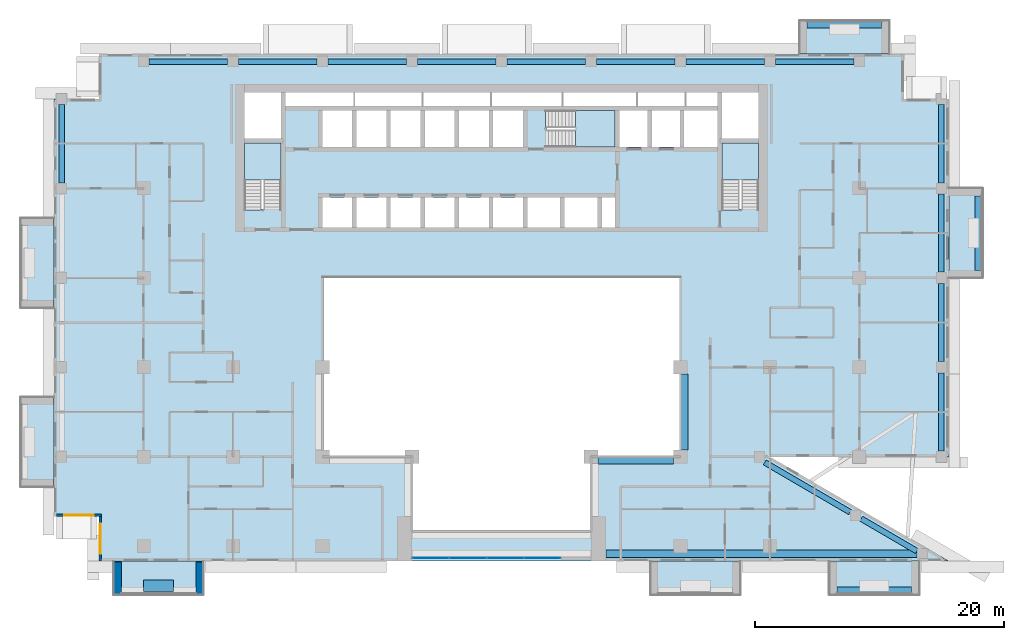
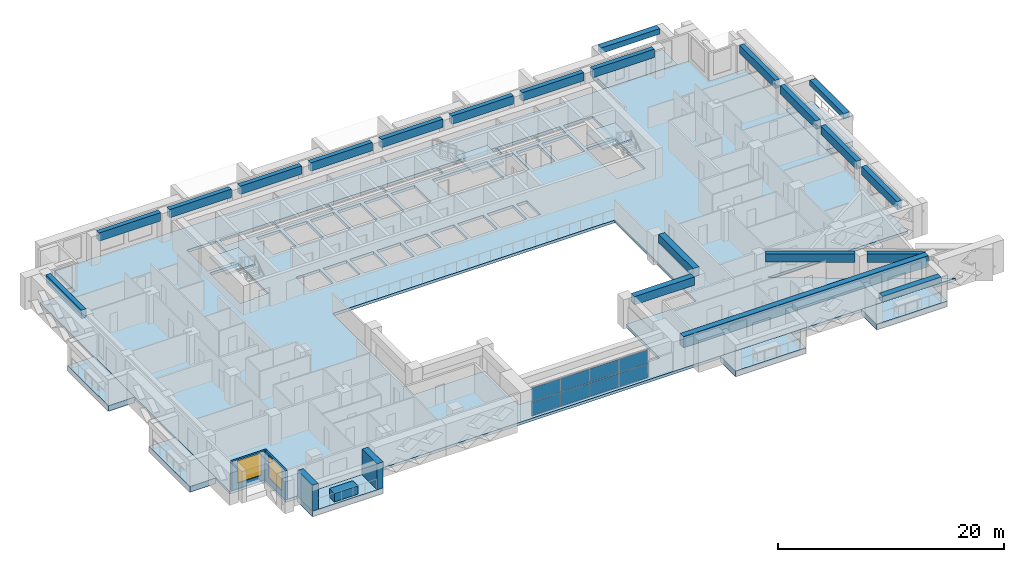
# One storey, part 5 of 19: 21 beams, 11 slabs, 8 plates, 5 walls, 2 windows, 2 openings, 4 elements without a shape of their own.
"""IFC4 building model written with IfcOpenShell, lengths in metres."""

from ifc_helpers import new_model, si_unit, direction, frame, frame_2d, origin, origin_2d, place, context, subcontext, project, spatial, polyline, rectangle, outline, extrude, source, transform, mapped, material, layer, layer_set, material_profile, profile_set, type_object, element, fill, aggregate, save


model = new_model("IFC4")

# Units and contexts
model_context = context("Model", 3, precision=1e-05, world=origin(), true_north=direction((0.0, 1.0)))
body_context = subcontext(model_context, "Body", "Model", "MODEL_VIEW")
ifc_project = project(units=[si_unit("LENGTHUNIT", "METRE"), si_unit("AREAUNIT", "SQUARE_METRE"), si_unit("VOLUMEUNIT", "CUBIC_METRE"), si_unit("PLANEANGLEUNIT", "RADIAN"), si_unit("MASSUNIT", "GRAM", prefix="KILO")], contexts=[model_context])

# Site, building, storey
site_placement = place(None, origin())
site = spatial("IfcSite", under=ifc_project, at=site_placement, CompositionType="ELEMENT")
building_placement = place(site_placement, origin())
building = spatial("IfcBuilding", under=site, at=building_placement, Name="Saffron Iwan Residences", CompositionType="ELEMENT")
storey_placement = place(building_placement, frame((0.0, 0.0, 134.0)))
storey = spatial("IfcBuildingStorey", under=building, at=storey_placement, Name="L35", CompositionType="ELEMENT", Elevation=134.0)

# Beams
ifc_material_1 = material(Name="Concrete C50/60", Category="concrete")
ifc_material_profile_1 = material_profile(ifc_material_1, rectangle(XDim=0.449951171875, YDim=0.89990234375, at=origin_2d()), Name="RC 450x900")
ifc_profile_set_1 = profile_set([ifc_material_profile_1], Name="Concrete C50/60")
beam_type_1 = type_object("IfcBeamType", Name="SPANDREL BEAM RC 450x900 C50/60 TOP 3150", PredefinedType="SPANDREL", material=ifc_profile_set_1)
shared_shape_1 = source(origin(), body_context, "Body", "SweptSolid", [
    extrude(rectangle(XDim=0.449951171875, YDim=0.89990234375, at=origin_2d()), origin(), (0.0, 0.0, 1.0), 5.184814453125),
])
beam_1_placement = place(storey_placement, frame((79.34765625, 43.019287109375, 2.699951171875), z_axis=(0.86377206948, -0.503882736345, 0.0), x_axis=(0.503882736345, 0.86377206948, 0.0)))
element("IfcBeam", 1, at=beam_1_placement, inside=storey, type_object=beam_type_1, Name="Spandrel beam", PredefinedType="SPANDREL", context=body_context, shape_type="MappedRepresentation", body=[
    mapped(shared_shape_1, transform((0.0, 0.0, 0.0))),
])
shared_shape_2 = source(origin(), body_context, "Body", "SweptSolid", [
    extrude(rectangle(XDim=0.449951171875, YDim=0.89990234375, at=origin_2d()), origin(), (0.0, 0.0, 1.0), 7.9501953125),
])
beam_2_placement = place(storey_placement, frame((71.58056640625, 47.550048828125, 2.699951171875), z_axis=(0.863778900898, -0.503871025524, 0.0), x_axis=(0.503871025524, 0.863778900898, 0.0)))
element("IfcBeam", 2, at=beam_2_placement, inside=storey, type_object=beam_type_1, Name="Spandrel beam", PredefinedType="SPANDREL", context=body_context, shape_type="MappedRepresentation", body=[
    mapped(shared_shape_2, transform((0.0, 0.0, 0.0))),
])
shared_shape_3 = source(origin(), body_context, "Body", "SweptSolid", [
    extrude(rectangle(XDim=0.449951171875, YDim=0.89990234375, at=origin_2d()), origin(), (0.0, 0.0, 1.0), 6.300048828125),
])
for number, where, z_axis, x_axis, name in (
    (3, (85.800048828125, 54.75, 2.699951171875), (0.0, -1.0, 0.0), (1.0, 0.0, 0.0), "Spandrel beam"),
    (4, (85.800048828125, 61.949951171875, 2.699951171875), (0.0, -1.0, 0.0), (1.0, 0.0, 0.0), "Spandrel beam"),
    (5, (15.0, 70.050048828125, 2.699951171875), (0.0, 1.0, 0.0), (-1.0, 0.0, 0.0), "Spandrel beam"),
    (6, (85.800048828125, 76.35009765625, 2.699951171875), (0.0, -1.0, 0.0), (1.0, 0.0, 0.0), "Spandrel beam"),
    (7, (22.050048828125, 79.800048828125, 2.699951171875), (1.0, 0.0, 0.0), (0.0, 1.0, 0.0), "Spandrel beam"),
    (8, (29.25, 79.800048828125, 2.699951171875), (1.0, 0.0, 0.0), (0.0, 1.0, 0.0), "Spandrel beam"),
    (9, (36.449951171875, 79.800048828125, 2.699951171875), (1.0, 0.0, 0.0), (0.0, 1.0, 0.0), "Spandrel beam"),
    (10, (43.64990234375, 79.800048828125, 2.699951171875), (1.0, 0.0, 0.0), (0.0, 1.0, 0.0), "Spandrel beam"),
    (11, (58.050048828125, 79.800048828125, 2.699951171875), (1.0, 0.0, 0.0), (0.0, 1.0, 0.0), "Spandrel beam"),
    (12, (65.25, 79.800048828125, 2.699951171875), (1.0, 0.0, 0.0), (0.0, 1.0, 0.0), "Spandrel beam"),
    (13, (72.449951171875, 79.800048828125, 2.699951171875), (1.0, 0.0, 0.0), (0.0, 1.0, 0.0), "Spandrel beam"),
):
    element("IfcBeam", number, at=place(storey_placement, frame(where, z_axis=z_axis, x_axis=x_axis)), inside=storey, type_object=beam_type_1, Name=name, PredefinedType="SPANDREL", context=body_context, shape_type="MappedRepresentation", body=[
        mapped(shared_shape_3, transform((0.0, 0.0, 0.0))),
    ])
shared_shape_4 = source(origin(), body_context, "Body", "SweptSolid", [
    extrude(rectangle(XDim=0.449951171875, YDim=0.89990234375, at=origin_2d()), origin(), (0.0, 0.0, 1.0), 6.2998046875),
])
for number, where, z_axis, x_axis, name in (
    (14, (85.800048828125, 69.14990234375, 2.699951171875), (0.0, -1.0, 0.0), (1.0, 0.0, 0.0), "Spandrel beam"),
    (15, (50.85009765625, 79.800048828125, 2.699951171875), (1.0, 0.0, 0.0), (0.0, 1.0, 0.0), "Spandrel beam"),
):
    element("IfcBeam", number, at=place(storey_placement, frame(where, z_axis=z_axis, x_axis=x_axis)), inside=storey, type_object=beam_type_1, Name=name, PredefinedType="SPANDREL", context=body_context, shape_type="MappedRepresentation", body=[
        mapped(shared_shape_4, transform((0.0, 0.0, 0.0))),
    ])
ifc_material_profile_2 = material_profile(ifc_material_1, rectangle(XDim=0.60009765625, YDim=1.199951171875, at=origin_2d()), Name="RC 600x1200")
ifc_profile_set_2 = profile_set([ifc_material_profile_2], Name="Concrete C50/60")
beam_type_2 = type_object("IfcBeamType", Name="LINTEL BEAM RC 600x1200 C50/60 TOP 3150", PredefinedType="LINTEL", material=ifc_profile_set_2)
shared_shape_5 = source(origin(), body_context, "Body", "SweptSolid", [
    extrude(rectangle(XDim=0.60009765625, YDim=1.199951171875, at=origin_2d()), origin(), (0.0, 0.0, 1.0), 25.026123046875),
])
beam_3_placement = place(storey_placement, frame((83.826171875, 40.199951171875, 2.550048828125), z_axis=(-1.0, 0.0, 0.0), x_axis=(0.0, -1.0, 0.0)))
element("IfcBeam", 16, at=beam_3_placement, inside=storey, type_object=beam_type_2, Name="Lintel beam over the iwan", PredefinedType="LINTEL", context=body_context, shape_type="MappedRepresentation", body=[
    mapped(shared_shape_5, transform((0.0, 0.0, 0.0))),
])
ifc_material_profile_3 = material_profile(ifc_material_1, rectangle(XDim=0.60009765625, YDim=0.89990234375, at=origin_2d()), Name="RC 600x900")
ifc_profile_set_3 = profile_set([ifc_material_profile_3], Name="Concrete C50/60")
beam_type_3 = type_object("IfcBeamType", Name="BEAM RC 600x900 C50/60 TOP 3150", PredefinedType="BEAM", material=ifc_profile_set_3)
shared_shape_6 = source(origin(), body_context, "Body", "SweptSolid", [
    extrude(rectangle(XDim=0.60009765625, YDim=0.89990234375, at=origin_2d()), origin(), (0.0, 0.0, 1.0), 6.099853515625),
])
beam_4_placement = place(storey_placement, frame((65.10009765625, 54.64990234375, 2.699951171875), z_axis=(0.0, -1.0, 0.0), x_axis=(1.0, 0.0, 0.0)))
element("IfcBeam", 17, at=beam_4_placement, inside=storey, type_object=beam_type_3, Name="Atrium edge beam", PredefinedType="BEAM", context=body_context, shape_type="MappedRepresentation", body=[
    mapped(shared_shape_6, transform((0.0, 0.0, 0.0))),
])
shared_shape_7 = source(origin(), body_context, "Body", "SweptSolid", [
    extrude(rectangle(XDim=0.60009765625, YDim=0.89990234375, at=origin_2d()), origin(), (0.0, 0.0, 1.0), 6.10009765625),
])
beam_5_placement = place(storey_placement, frame((64.25, 47.699951171875, 2.699951171875), z_axis=(-1.0, 0.0, 0.0), x_axis=(0.0, -1.0, 0.0)))
element("IfcBeam", 18, at=beam_5_placement, inside=storey, type_object=beam_type_3, Name="Atrium edge beam", PredefinedType="BEAM", context=body_context, shape_type="MappedRepresentation", body=[
    mapped(shared_shape_7, transform((0.0, 0.0, 0.0))),
])
ifc_material_2 = material(Name="Concrete C50/60 white painted", Category="concrete")
ifc_material_profile_4 = material_profile(ifc_material_2, rectangle(XDim=0.60009765625, YDim=0.60009765625, at=origin_2d()), Name="BALCONY FASCIA BEAM 600 x 600")
ifc_profile_set_4 = profile_set([ifc_material_profile_4], Name="Concrete C50/60 white painted")
beam_type_4 = type_object("IfcBeamType", Name="BALCONY FASCIA BEAM 600 x 600", PredefinedType="BEAM", material=ifc_profile_set_4)
shared_shape_8 = source(origin(), body_context, "Body", "SweptSolid", [
    extrude(rectangle(XDim=0.60009765625, YDim=0.60009765625, at=origin_2d()), origin(), (0.0, 0.0, 1.0), 6.0),
])
for number, where, z_axis, x_axis, name in (
    (19, (88.800048828125, 63.0, 2.5), (0.0, 1.0, 0.0), (-1.0, 0.0, 0.0), "Balcony fascia beam L35 F2-0"),
    (20, (81.0, 82.800048828125, 2.5), (-1.0, 0.0, 0.0), (0.0, -1.0, 0.0), "Balcony fascia beam L35 F5-0"),
    (21, (77.39990234375, 37.199951171875, 2.5), (1.0, 0.0, 0.0), (0.0, 1.0, 0.0), "Balcony fascia beam L35 11-3"),
):
    element("IfcBeam", number, at=place(storey_placement, frame(where, z_axis=z_axis, x_axis=x_axis)), inside=storey, type_object=beam_type_4, Name=name, PredefinedType="BEAM", context=body_context, shape_type="MappedRepresentation", body=[
        mapped(shared_shape_8, transform((0.0, 0.0, 0.0))),
    ])

# Slabs
ifc_layer_1 = layer(ifc_material_2, 0.60009765625)
ifc_layer_set_1 = layer_set([ifc_layer_1], Name="Concrete C50/60 white painted")
slab_type_1 = type_object("IfcSlabType", Name="BALCONY FRAME SLAB 600", PredefinedType="FLOOR", material=ifc_layer_set_1)
slab_1_placement = place(storey_placement, frame((0.0, 0.0, -0.60009765625)))
element("IfcSlab", 22, at=slab_1_placement, inside=storey, type_object=slab_type_1, Name="Balcony frame slab L35 F2-0", PredefinedType="FLOOR", context=body_context, shape_type="SweptSolid", body=[
    extrude(outline(polyline([(89.10009765625, 62.39990234375), (89.10009765625, 69.60009765625), (86.39990234375, 69.60009765625), (86.39990234375, 62.39990234375), (89.10009765625, 62.39990234375)])), origin(), (0.0, 0.0, 1.0), 0.60009765625),
])
slab_2_placement = place(storey_placement, frame((0.0, 0.0, -0.60009765625)))
element("IfcSlab", 23, at=slab_2_placement, inside=storey, type_object=slab_type_1, Name="Balcony frame slab L35 F5-0", PredefinedType="FLOOR", context=body_context, shape_type="SweptSolid", body=[
    extrude(outline(polyline([(81.60009765625, 83.10009765625), (74.39990234375, 83.10009765625), (74.39990234375, 80.39990234375), (81.60009765625, 80.39990234375), (81.60009765625, 83.10009765625)])), origin(), (0.0, 0.0, 1.0), 0.60009765625),
])
slab_3_placement = place(storey_placement, frame((0.0, 0.0, -0.60009765625)))
element("IfcSlab", 24, at=slab_3_placement, inside=storey, type_object=slab_type_1, Name="Balcony frame slab L35 F8-0", PredefinedType="FLOOR", context=body_context, shape_type="SweptSolid", body=[
    extrude(outline(polyline([(11.699951171875, 67.199951171875), (11.699951171875, 60.0), (14.39990234375, 60.0), (14.39990234375, 67.199951171875), (11.699951171875, 67.199951171875)])), origin(), (0.0, 0.0, 1.0), 0.60009765625),
])
slab_4_placement = place(storey_placement, frame((0.0, 0.0, -0.60009765625)))
element("IfcSlab", 25, at=slab_4_placement, inside=storey, type_object=slab_type_1, Name="Balcony frame slab L35 F8-1", PredefinedType="FLOOR", context=body_context, shape_type="SweptSolid", body=[
    extrude(outline(polyline([(11.699951171875, 52.800048828125), (11.699951171875, 45.60009765625), (14.39990234375, 45.60009765625), (14.39990234375, 52.800048828125), (11.699951171875, 52.800048828125)])), origin(), (0.0, 0.0, 1.0), 0.60009765625),
])
slab_5_placement = place(storey_placement, frame((0.0, 0.0, -0.60009765625)))
element("IfcSlab", 26, at=slab_5_placement, inside=storey, type_object=slab_type_1, Name="Balcony frame slab L35 11-0", PredefinedType="FLOOR", context=body_context, shape_type="SweptSolid", body=[
    extrude(outline(polyline([(19.199951171875, 36.89990234375), (26.39990234375, 36.89990234375), (26.39990234375, 39.60009765625), (19.199951171875, 39.60009765625), (19.199951171875, 36.89990234375)])), origin(), (0.0, 0.0, 1.0), 0.60009765625),
])
slab_6_placement = place(storey_placement, frame((0.0, 0.0, -0.60009765625)))
element("IfcSlab", 27, at=slab_6_placement, inside=storey, type_object=slab_type_1, Name="Balcony frame slab L35 11-2", PredefinedType="FLOOR", context=body_context, shape_type="SweptSolid", body=[
    extrude(outline(polyline([(62.39990234375, 36.89990234375), (69.60009765625, 36.89990234375), (69.60009765625, 39.60009765625), (62.39990234375, 39.60009765625), (62.39990234375, 36.89990234375)])), origin(), (0.0, 0.0, 1.0), 0.60009765625),
])
slab_7_placement = place(storey_placement, frame((0.0, 0.0, -0.60009765625)))
element("IfcSlab", 28, at=slab_7_placement, inside=storey, type_object=slab_type_1, Name="Balcony frame slab L35 11-3", PredefinedType="FLOOR", context=body_context, shape_type="SweptSolid", body=[
    extrude(outline(polyline([(76.800048828125, 36.89990234375), (84.0, 36.89990234375), (84.0, 39.60009765625), (76.800048828125, 39.60009765625), (76.800048828125, 36.89990234375)])), origin(), (0.0, 0.0, 1.0), 0.60009765625),
])
ifc_material_3 = material(Name="Concrete C40/50", Category="concrete")
ifc_layer_2 = layer(ifc_material_3, 0.300048828125)
ifc_layer_set_2 = layer_set([ifc_layer_2], Name="Concrete C40/50")
slab_type_2 = type_object("IfcSlabType", Name="PT PLATE 300 C40/50", PredefinedType="FLOOR", material=ifc_layer_set_2)
slab_8_placement = place(storey_placement, frame((0.0, 0.0, -0.300048828125)))
element("IfcSlab", 29, at=slab_8_placement, inside=storey, type_object=slab_type_2, Name="Floor slab L35", PredefinedType="FLOOR", context=body_context, shape_type="SweptSolid", body=[
    extrude(outline(polyline([(14.39990234375, 43.199951171875), (14.39990234375, 76.800048828125), (18.0, 76.800048828125), (18.0, 80.39990234375), (82.800048828125, 80.39990234375), (82.800048828125, 76.800048828125), (86.39990234375, 76.800048828125), (86.39990234375, 48.0), (72.0, 48.0), (86.39990234375, 39.60009765625), (18.0, 39.60009765625), (18.0, 43.199951171875), (14.39990234375, 43.199951171875)]), holes=[polyline([(64.800048828125, 48.0), (64.800048828125, 62.39990234375), (36.0, 62.39990234375), (36.0, 48.0), (43.199951171875, 48.0), (43.199951171875, 42.0), (57.60009765625, 42.0), (57.60009765625, 48.0), (64.800048828125, 48.0)]), polyline([(38.375, 68.875), (35.97509765625, 68.875), (35.97509765625, 66.449951171875), (38.375, 66.449951171875), (38.375, 68.875)]), polyline([(41.125, 66.449951171875), (41.125, 68.875), (38.72509765625, 68.875), (38.72509765625, 66.449951171875), (41.125, 66.449951171875)]), polyline([(43.875, 66.449951171875), (43.875, 68.875), (41.47509765625, 68.875), (41.47509765625, 66.449951171875), (43.875, 66.449951171875)]), polyline([(46.625, 66.449951171875), (46.625, 68.875), (44.22509765625, 68.875), (44.22509765625, 66.449951171875), (46.625, 66.449951171875)]), polyline([(49.375, 66.449951171875), (49.375, 68.875), (46.97509765625, 68.875), (46.97509765625, 66.449951171875), (49.375, 66.449951171875)]), polyline([(32.64990234375, 73.25), (29.699951171875, 73.25), (29.699951171875, 67.949951171875), (29.699951171875, 67.8505859375), (31.10009765625, 67.8505859375), (31.10009765625, 67.949951171875), (32.64990234375, 67.949951171875), (32.64990234375, 73.25)]), polyline([(38.375, 72.925048828125), (38.375, 75.875), (35.97509765625, 75.875), (35.97509765625, 72.925048828125), (38.375, 72.925048828125)]), polyline([(41.125, 72.925048828125), (41.125, 75.875), (38.72509765625, 75.875), (38.72509765625, 72.925048828125), (41.125, 72.925048828125)]), polyline([(43.875, 72.925048828125), (43.875, 75.875), (41.47509765625, 75.875), (41.47509765625, 72.925048828125), (43.875, 72.925048828125)]), polyline([(46.625, 72.925048828125), (46.625, 75.875), (44.22509765625, 75.875), (44.22509765625, 72.925048828125), (46.625, 72.925048828125)]), polyline([(49.375, 72.925048828125), (49.375, 75.875), (46.97509765625, 75.875), (46.97509765625, 72.925048828125), (49.375, 72.925048828125)]), polyline([(32.64990234375, 73.60009765625), (32.64990234375, 77.300048828125), (29.699951171875, 77.300048828125), (29.699951171875, 73.60009765625), (32.64990234375, 73.60009765625)]), polyline([(38.5, 76.22509765625), (38.5, 77.300048828125), (33.0, 77.300048828125), (33.0, 76.22509765625), (38.5, 76.22509765625)]), polyline([(44.0, 76.22509765625), (44.0, 77.300048828125), (38.60009765625, 77.300048828125), (38.60009765625, 76.22509765625), (44.0, 76.22509765625)]), polyline([(49.5, 76.22509765625), (49.5, 77.300048828125), (44.10009765625, 77.300048828125), (44.10009765625, 76.22509765625), (49.5, 76.22509765625)]), polyline([(52.125, 68.875), (49.72509765625, 68.875), (49.72509765625, 66.449951171875), (52.125, 66.449951171875), (52.125, 68.875)]), polyline([(55.125, 66.449951171875), (55.125, 68.875), (52.47509765625, 68.875), (52.47509765625, 66.449951171875), (55.125, 66.449951171875)]), polyline([(58.125, 66.449951171875), (58.125, 68.875), (55.47509765625, 68.875), (55.47509765625, 66.449951171875), (58.125, 66.449951171875)]), polyline([(59.550048828125, 66.449951171875), (59.550048828125, 68.875), (58.47509765625, 68.875), (58.47509765625, 66.449951171875), (59.550048828125, 66.449951171875)]), polyline([(71.10009765625, 73.25), (68.14990234375, 73.25), (68.14990234375, 67.949951171875), (68.14990234375, 67.8505859375), (69.550048828125, 67.8505859375), (69.550048828125, 67.949951171875), (71.10009765625, 67.949951171875), (71.10009765625, 73.25)]), polyline([(52.125, 72.925048828125), (52.125, 75.875), (49.72509765625, 75.875), (49.72509765625, 72.925048828125), (52.125, 72.925048828125)]), polyline([(53.925537109375, 74.47509765625), (54.02490234375, 74.47509765625), (54.02490234375, 72.925048828125), (59.550048828125, 72.925048828125), (59.550048828125, 75.875), (54.02490234375, 75.875), (53.925537109375, 75.875), (53.925537109375, 74.47509765625)]), polyline([(62.14990234375, 72.925048828125), (62.14990234375, 75.875), (59.89990234375, 75.875), (59.89990234375, 72.925048828125), (62.14990234375, 72.925048828125)]), polyline([(64.75, 72.925048828125), (64.75, 75.875), (62.5, 75.875), (62.5, 72.925048828125), (64.75, 72.925048828125)]), polyline([(67.800048828125, 72.925048828125), (67.800048828125, 75.875), (65.10009765625, 75.875), (65.10009765625, 72.925048828125), (67.800048828125, 72.925048828125)]), polyline([(71.10009765625, 73.60009765625), (71.10009765625, 77.300048828125), (68.14990234375, 77.300048828125), (68.14990234375, 73.60009765625), (71.10009765625, 73.60009765625)]), polyline([(55.25, 76.22509765625), (55.25, 77.300048828125), (49.60009765625, 77.300048828125), (49.60009765625, 76.22509765625), (55.25, 76.22509765625)]), polyline([(61.25, 76.22509765625), (61.25, 77.300048828125), (55.35009765625, 77.300048828125), (55.35009765625, 76.22509765625), (61.25, 76.22509765625)]), polyline([(65.14990234375, 76.22509765625), (65.14990234375, 77.300048828125), (61.35009765625, 77.300048828125), (61.35009765625, 76.22509765625), (65.14990234375, 76.22509765625)]), polyline([(67.800048828125, 76.22509765625), (67.800048828125, 77.300048828125), (65.25, 77.300048828125), (65.25, 76.22509765625), (67.800048828125, 76.22509765625)])]), origin(), (0.0, 0.0, 1.0), 0.300048828125),
])

# Stair, slab
stair_type = type_object("IfcStairType", Name="Stair ST-CORE", PredefinedType="HALF_TURN_STAIR", material=ifc_material_1)
stair_1_placement = place(storey_placement, origin())
stair_1 = element("IfcStair", 30, at=stair_1_placement, inside=storey, type_object=stair_type, Name="L35 Exit Stair ST-W", PredefinedType="HALF_TURN_STAIR")
ifc_layer_3 = layer(ifc_material_1, 0.199951171875)
ifc_layer_set_3 = layer_set([ifc_layer_3], Name="Concrete C50/60")
slab_type_3 = type_object("IfcSlabType", Name="Stair landing SL-RC", PredefinedType="LANDING", material=ifc_layer_set_3)
slab_9_placement = place(storey_placement, frame((0.0, 0.0, 1.5498046875)))
slab_9 = element("IfcSlab", 31, at=slab_9_placement, type_object=slab_type_3, Name="ST-W landing 1", PredefinedType="LANDING", context=body_context, shape_type="SweptSolid", body=[
    extrude(outline(polyline([(32.64990234375, 70.280029296875), (32.64990234375, 73.25), (29.699951171875, 73.25), (29.699951171875, 70.280029296875), (32.64990234375, 70.280029296875)])), origin(), (0.0, 0.0, 1.0), 0.2001953125),
])
aggregate(stair_1, [slab_9])

stair_2_placement = place(storey_placement, origin())
stair_2 = element("IfcStair", 32, at=stair_2_placement, inside=storey, type_object=stair_type, Name="L35 Exit Stair ST-C", PredefinedType="HALF_TURN_STAIR")
slab_10_placement = place(storey_placement, frame((0.0, 0.0, 1.5498046875)))
slab_10 = element("IfcSlab", 33, at=slab_10_placement, type_object=slab_type_3, Name="ST-C landing 1", PredefinedType="LANDING", context=body_context, shape_type="SweptSolid", body=[
    extrude(outline(polyline([(56.35498046875, 72.925048828125), (59.550048828125, 72.925048828125), (59.550048828125, 75.875), (56.35498046875, 75.875), (56.35498046875, 72.925048828125)])), origin(), (0.0, 0.0, 1.0), 0.2001953125),
])
aggregate(stair_2, [slab_10])

stair_3_placement = place(storey_placement, origin())
stair_3 = element("IfcStair", 34, at=stair_3_placement, inside=storey, type_object=stair_type, Name="L35 Exit Stair ST-E", PredefinedType="HALF_TURN_STAIR")
slab_11_placement = place(storey_placement, frame((0.0, 0.0, 1.5498046875)))
slab_11 = element("IfcSlab", 35, at=slab_11_placement, type_object=slab_type_3, Name="ST-E landing 1", PredefinedType="LANDING", context=body_context, shape_type="SweptSolid", body=[
    extrude(outline(polyline([(71.10009765625, 70.280029296875), (71.10009765625, 73.25), (68.14990234375, 73.25), (68.14990234375, 70.280029296875), (71.10009765625, 70.280029296875)])), origin(), (0.0, 0.0, 1.0), 0.2001953125),
])
aggregate(stair_3, [slab_11])

# Curtain wall, plates
ifc_material_4 = material(Name="Clear glass, laminated double glazed", Category="glass")
ifc_layer_4 = layer(ifc_material_4, 0.199951171875)
ifc_layer_set_4 = layer_set([ifc_layer_4], Name="Clear glass, laminated double glazed")
curtain_wall_type = type_object("IfcCurtainWallType", Name="CW-B IWAN PORTAL", PredefinedType="NOTDEFINED", material=ifc_layer_set_4)
curtain_wall_placement = place(storey_placement, origin())
curtain_wall = element("IfcCurtainWall", 36, at=curtain_wall_placement, inside=storey, type_object=curtain_wall_type, Name="Iwan portal glazing L35.1", PredefinedType="NOTDEFINED")
ifc_layer_5 = layer(ifc_material_4, 0.028076171875)
ifc_layer_set_5 = layer_set([ifc_layer_5], Name="Clear glass, laminated double glazed")
plate_type = type_object("IfcPlateType", Name="CW-B PANEL 28", PredefinedType="CURTAIN_PANEL", material=ifc_layer_set_5)
shared_shape_9 = source(origin(), body_context, "Body", "SweptSolid", [
    extrude(rectangle(XDim=2.909912109375, YDim=0.028076171875, at=origin_2d()), origin(), (0.0, 0.0, 1.0), 1.485107421875),
])
plate_1_placement = place(storey_placement, frame((44.715087890625, 39.85009765625, 0.06005859375), z_axis=(0.0, 0.0, 1.0), x_axis=(1.0, 0.0, 0.0)))
plate_1 = element("IfcPlate", 37, at=plate_1_placement, type_object=plate_type, Name="CW-B panel 1.1", PredefinedType="CURTAIN_PANEL", context=body_context, shape_type="MappedRepresentation", body=[
    mapped(shared_shape_9, transform((0.0, 0.0, 0.0))),
])
plate_2_placement = place(storey_placement, frame((44.715087890625, 39.85009765625, 1.60498046875), z_axis=(0.0, 0.0, 1.0), x_axis=(1.0, 0.0, 0.0)))
plate_2 = element("IfcPlate", 38, at=plate_2_placement, type_object=plate_type, Name="CW-B panel 1.2", PredefinedType="CURTAIN_PANEL", context=body_context, shape_type="MappedRepresentation", body=[
    mapped(shared_shape_9, transform((0.0, 0.0, 0.0))),
])
plate_3_placement = place(storey_placement, frame((53.68505859375, 39.85009765625, 0.06005859375), z_axis=(0.0, 0.0, 1.0), x_axis=(1.0, 0.0, 0.0)))
plate_3 = element("IfcPlate", 39, at=plate_3_placement, type_object=plate_type, Name="CW-B panel 4.1", PredefinedType="CURTAIN_PANEL", context=body_context, shape_type="MappedRepresentation", body=[
    mapped(shared_shape_9, transform((0.0, 0.0, 0.0))),
])
plate_4_placement = place(storey_placement, frame((53.68505859375, 39.85009765625, 1.60498046875), z_axis=(0.0, 0.0, 1.0), x_axis=(1.0, 0.0, 0.0)))
plate_4 = element("IfcPlate", 40, at=plate_4_placement, type_object=plate_type, Name="CW-B panel 4.2", PredefinedType="CURTAIN_PANEL", context=body_context, shape_type="MappedRepresentation", body=[
    mapped(shared_shape_9, transform((0.0, 0.0, 0.0))),
])
shared_shape_10 = source(origin(), body_context, "Body", "SweptSolid", [
    extrude(rectangle(XDim=2.93994140625, YDim=0.028076171875, at=origin_2d()), origin(), (0.0, 0.0, 1.0), 1.485107421875),
])
plate_5_placement = place(storey_placement, frame((47.699951171875, 39.85009765625, 0.06005859375), z_axis=(0.0, 0.0, 1.0), x_axis=(1.0, 0.0, 0.0)))
plate_5 = element("IfcPlate", 41, at=plate_5_placement, type_object=plate_type, Name="CW-B panel 2.1", PredefinedType="CURTAIN_PANEL", context=body_context, shape_type="MappedRepresentation", body=[
    mapped(shared_shape_10, transform((0.0, 0.0, 0.0))),
])
plate_6_placement = place(storey_placement, frame((47.699951171875, 39.85009765625, 1.60498046875), z_axis=(0.0, 0.0, 1.0), x_axis=(1.0, 0.0, 0.0)))
plate_6 = element("IfcPlate", 42, at=plate_6_placement, type_object=plate_type, Name="CW-B panel 2.2", PredefinedType="CURTAIN_PANEL", context=body_context, shape_type="MappedRepresentation", body=[
    mapped(shared_shape_10, transform((0.0, 0.0, 0.0))),
])
plate_7_placement = place(storey_placement, frame((50.699951171875, 39.85009765625, 0.06005859375), z_axis=(0.0, 0.0, 1.0), x_axis=(1.0, 0.0, 0.0)))
plate_7 = element("IfcPlate", 43, at=plate_7_placement, type_object=plate_type, Name="CW-B panel 3.1", PredefinedType="CURTAIN_PANEL", context=body_context, shape_type="MappedRepresentation", body=[
    mapped(shared_shape_10, transform((0.0, 0.0, 0.0))),
])
plate_8_placement = place(storey_placement, frame((50.699951171875, 39.85009765625, 1.60498046875), z_axis=(0.0, 0.0, 1.0), x_axis=(1.0, 0.0, 0.0)))
plate_8 = element("IfcPlate", 44, at=plate_8_placement, type_object=plate_type, Name="CW-B panel 3.2", PredefinedType="CURTAIN_PANEL", context=body_context, shape_type="MappedRepresentation", body=[
    mapped(shared_shape_10, transform((0.0, 0.0, 0.0))),
])
aggregate(curtain_wall, [plate_1, plate_2, plate_5, plate_6, plate_7, plate_8, plate_3, plate_4])

# Walls
ifc_layer_6 = layer(ifc_material_2, 0.60009765625)
ifc_layer_set_6 = layer_set([ifc_layer_6], Name="Concrete C50/60 white painted")
wall_type_1 = type_object("IfcWallType", Name="BALCONY FIN 600", PredefinedType="SOLIDWALL", material=ifc_layer_set_6)
for number, where, z_axis, x_axis, name in (
    (45, (19.5, 39.550048828125, 0.0), (0.0, 0.0, 1.0), (0.0, -1.0, 0.0), "Balcony fin L35 11-0a"),
    (46, (26.10009765625, 39.550048828125, 0.0), (0.0, 0.0, 1.0), (0.0, -1.0, 0.0), "Balcony fin L35 11-0b"),
):
    element("IfcWall", number, at=place(storey_placement, frame(where, z_axis=z_axis, x_axis=x_axis)), inside=storey, type_object=wall_type_1, Name=name, PredefinedType="SOLIDWALL", context=body_context, shape_type="SweptSolid", body=[
        extrude(rectangle(XDim=2.650146484375, YDim=0.60009765625, at=frame_2d((1.3251953125, 0.0))), origin(), (0.0, 0.0, 1.0), 2.800048828125),
    ])
ifc_material_5 = material(Name="Concrete C35/45 white painted", Category="concrete")
ifc_layer_7 = layer(ifc_material_5, 0.14990234375)
ifc_layer_set_7 = layer_set([ifc_layer_7], Name="Concrete C35/45 white painted")
wall_type_2 = type_object("IfcWallType", Name="BALCONY PLANTER", PredefinedType="SOLIDWALL", material=ifc_layer_set_7)
wall_1_placement = place(storey_placement, frame((21.60009765625, 37.625, 0.0), z_axis=(0.0, 0.0, 1.0), x_axis=(1.0, 0.0, 0.0)))
element("IfcWall", 47, at=wall_1_placement, inside=storey, type_object=wall_type_2, Name="PLANTER L35 11-0", PredefinedType="SOLIDWALL", context=body_context, shape_type="SweptSolid", body=[
    extrude(rectangle(XDim=2.39990234375, YDim=0.89990234375, at=frame_2d((1.199951171875, 0.0))), origin(), (0.0, 0.0, 1.0), 0.89990234375),
])

# Wall, opening, window
ifc_layer_8 = layer(ifc_material_3, 0.199951171875)
ifc_layer_set_8 = layer_set([ifc_layer_8], Name="Concrete C40/50")
wall_type_3 = type_object("IfcWallType", Name="EXTERNAL WALL 200", PredefinedType="SOLIDWALL", material=ifc_layer_set_8)
wall_2_placement = place(storey_placement, frame((14.60009765625, 43.300048828125, 0.0), z_axis=(0.0, 0.0, 1.0), x_axis=(1.0, 0.0, 0.0)))
wall_2 = element("IfcWall", 48, at=wall_2_placement, inside=storey, type_object=wall_type_3, Name="External wall L35 F9.0", PredefinedType="SOLIDWALL", context=body_context, shape_type="SweptSolid", body=[
    extrude(rectangle(XDim=3.599853515625, YDim=0.199951171875, at=frame_2d((1.7998046875, 0.0))), origin(), (0.0, 0.0, 1.0), 3.14990234375),
])
opening_1_placement = place(wall_2_placement, frame((0.60009765625, 0.0, 0.60009765625)))
opening_1 = element("IfcOpeningElement", 49, at=opening_1_placement, cuts=wall_2, Name="Opening W1", PredefinedType="OPENING", context=body_context, shape_type="SweptSolid", body=[
    extrude(rectangle(XDim=2.39990234375, YDim=2.39990234375, at=frame_2d((1.199951171875, 1.199951171875))), frame((0.0, 0.10986328125, 0.0), z_axis=(0.0, -1.0, 0.0), x_axis=(1.0, 0.0, 0.0)), (0.0, 0.0, 1.0), 0.219970703125),
])
window_type = type_object("IfcWindowType", Name="WINDOW 2400 x 2400", PartitioningType="DOUBLE_PANEL_VERTICAL", PredefinedType="WINDOW", material=ifc_material_4)
window_1_placement = place(opening_1_placement, origin())
window_1 = element("IfcWindow", 50, at=window_1_placement, inside=storey, type_object=window_type, Name="Window L35 F9.0", OverallHeight=2.39990234375, OverallWidth=2.39990234375, PartitioningType="DOUBLE_PANEL_VERTICAL", PredefinedType="WINDOW", context=body_context, shape_type="SweptSolid", body=[
    extrude(rectangle(XDim=2.39990234375, YDim=2.39990234375, at=frame_2d((1.199951171875, 1.199951171875))), frame((0.0, 0.030029296875, 0.0), z_axis=(0.0, -1.0, 0.0), x_axis=(1.0, 0.0, 0.0)), (0.0, 0.0, 1.0), 0.06005859375),
])
fill(opening_1, window_1)

wall_3_placement = place(storey_placement, frame((18.10009765625, 43.199951171875, 0.0), z_axis=(0.0, 0.0, 1.0), x_axis=(0.0, -1.0, 0.0)))
wall_3 = element("IfcWall", 51, at=wall_3_placement, inside=storey, type_object=wall_type_3, Name="External wall L35 F10.0", PredefinedType="SOLIDWALL", context=body_context, shape_type="SweptSolid", body=[
    extrude(rectangle(XDim=3.599853515625, YDim=0.199951171875, at=frame_2d((1.7998046875, 0.0))), origin(), (0.0, 0.0, 1.0), 3.14990234375),
])
opening_2_placement = place(wall_3_placement, frame((0.60009765625, 0.0, 0.60009765625)))
opening_2 = element("IfcOpeningElement", 52, at=opening_2_placement, cuts=wall_3, Name="Opening W1", PredefinedType="OPENING", context=body_context, shape_type="SweptSolid", body=[
    extrude(rectangle(XDim=2.39990234375, YDim=2.39990234375, at=frame_2d((1.199951171875, 1.199951171875))), frame((0.0, 0.10986328125, 0.0), z_axis=(0.0, -1.0, 0.0), x_axis=(1.0, 0.0, 0.0)), (0.0, 0.0, 1.0), 0.219970703125),
])
window_2_placement = place(opening_2_placement, origin())
window_2 = element("IfcWindow", 53, at=window_2_placement, inside=storey, type_object=window_type, Name="Window L35 F10.0", OverallHeight=2.39990234375, OverallWidth=2.39990234375, PartitioningType="DOUBLE_PANEL_VERTICAL", PredefinedType="WINDOW", context=body_context, shape_type="SweptSolid", body=[
    extrude(rectangle(XDim=2.39990234375, YDim=2.39990234375, at=frame_2d((1.199951171875, 1.199951171875))), frame((0.0, 0.030029296875, 0.0), z_axis=(0.0, -1.0, 0.0), x_axis=(1.0, 0.0, 0.0)), (0.0, 0.0, 1.0), 0.06005859375),
])
fill(opening_2, window_2)

save(model, "model.ifc")
